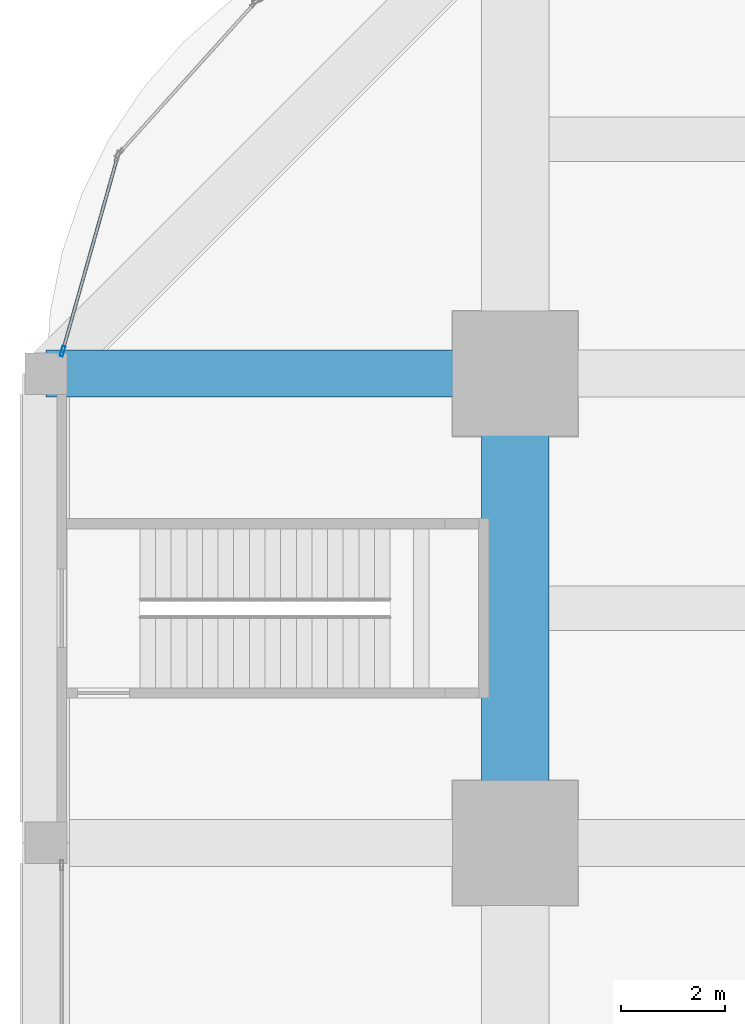
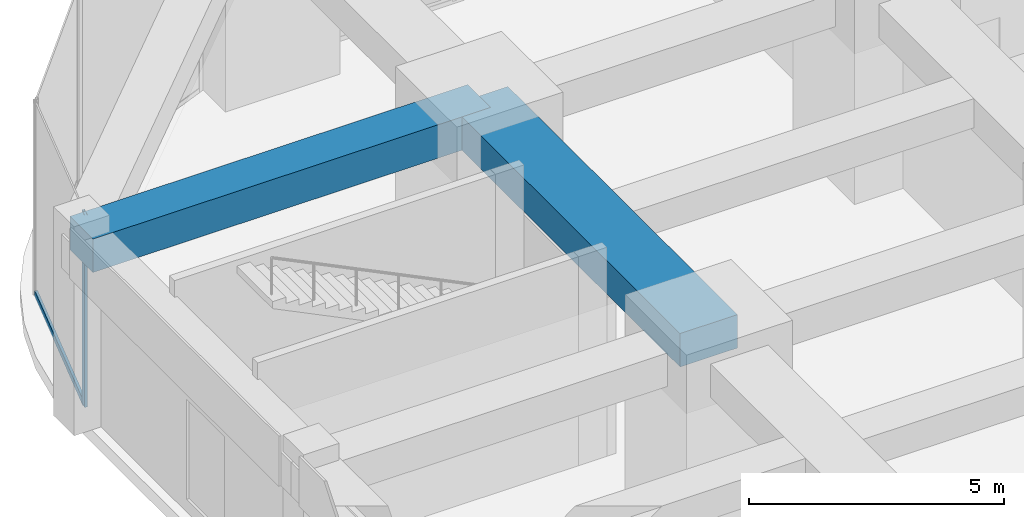
# One storey, part 20 of 46: 2 beams, 2 members, 1 element without a shape of its own.
"""IFC4 building model written with IfcOpenShell, lengths in metres."""

from ifc_helpers import new_model, si_unit, direction, frame, origin, origin_2d, place, context, subcontext, project, spatial, rectangle, hollow_rectangle, extrude, material, material_profile, profile_set, type_object, element, aggregate, save


model = new_model("IFC4")

# Units and contexts
model_context = context("Model", 3, precision=1e-05, world=origin(), true_north=direction((0.0, 1.0)))
body_context = subcontext(model_context, "Body", "Model", "MODEL_VIEW")
ifc_project = project(units=[si_unit("LENGTHUNIT", "METRE"), si_unit("AREAUNIT", "SQUARE_METRE"), si_unit("VOLUMEUNIT", "CUBIC_METRE"), si_unit("PLANEANGLEUNIT", "RADIAN"), si_unit("MASSUNIT", "GRAM", prefix="KILO")], contexts=[model_context])

# Site, building, storey
site_placement = place(None, origin())
site = spatial("IfcSite", under=ifc_project, at=site_placement, CompositionType="ELEMENT")
building_placement = place(site_placement, origin())
building = spatial("IfcBuilding", under=site, at=building_placement, Name="Zorevar Civic Tower", CompositionType="ELEMENT")
storey_placement = place(building_placement, frame((0.0, 0.0, 10.800048828125)))
storey = spatial("IfcBuildingStorey", under=building, at=storey_placement, Name="L02", CompositionType="ELEMENT", Elevation=10.800048828125)

# Beams
ifc_material_1 = material(Name="Concrete C50/60", Category="concrete")
ifc_material_profile_1 = material_profile(ifc_material_1, rectangle(XDim=1.300048828125, YDim=0.800048828125, at=origin_2d()), Name="RC 1300x800")
ifc_profile_set_1 = profile_set([ifc_material_profile_1], Name="Concrete C50/60")
beam_type_1 = type_object("IfcBeamType", Name="Beam RC 1300x800", PredefinedType="BEAM", material=ifc_profile_set_1)
beam_1_placement = place(storey_placement, frame((0.0, 36.0, 4.199951171875), z_axis=(0.0, 1.0, 0.0), x_axis=(-1.0, 0.0, 0.0)))
element("IfcBeam", 1, at=beam_1_placement, inside=storey, type_object=beam_type_1, Name="Girder L03", PredefinedType="BEAM", context=body_context, shape_type="SweptSolid", body=[
    extrude(rectangle(XDim=1.300048828125, YDim=0.800048828125, at=origin_2d()), origin(), (0.0, 0.0, 1.0), 9.0),
])
ifc_material_2 = material(Name="Concrete C50/60", Category="concrete")
ifc_material_profile_2 = material_profile(ifc_material_2, rectangle(XDim=0.89990234375, YDim=0.800048828125, at=origin_2d()), Name="RC 900x800")
ifc_profile_set_2 = profile_set([ifc_material_profile_2], Name="Concrete C50/60")
beam_type_2 = type_object("IfcBeamType", Name="Beam RC 900x800", PredefinedType="BEAM", material=ifc_profile_set_2)
beam_2_placement = place(storey_placement, frame((-9.0, 45.0, 4.199951171875), z_axis=(1.0, 0.0, 0.0), x_axis=(0.0, 1.0, 0.0)))
element("IfcBeam", 2, at=beam_2_placement, inside=storey, type_object=beam_type_2, Name="Girder L03", PredefinedType="BEAM", context=body_context, shape_type="SweptSolid", body=[
    extrude(rectangle(XDim=0.89990234375, YDim=0.800048828125, at=origin_2d()), origin(), (0.0, 0.0, 1.0), 9.0),
])

# Curtain wall, members
ifc_material_3 = material(Name="Dark grey solar-control glass in black aluminium frame", Category="aluminium")
curtain_wall_type = type_object("IfcCurtainWallType", Name="Curtain wall CW1 podium", PredefinedType="NOTDEFINED", material=ifc_material_3)
curtain_wall_placement = place(storey_placement, origin())
curtain_wall = element("IfcCurtainWall", 3, at=curtain_wall_placement, inside=storey, type_object=curtain_wall_type, Name="CW1 L02", PredefinedType="NOTDEFINED")
ifc_material_4 = material(Name="Aluminium, black anodised", Category="aluminium")
ifc_material_profile_3 = material_profile(ifc_material_4, hollow_rectangle(XDim=0.06005859375, YDim=0.199951171875, WallThickness=0.00390625, at=origin_2d()), Name="AL 200x60x4")
ifc_profile_set_3 = profile_set([ifc_material_profile_3], Name="Aluminium, black anodised")
member_type_1 = type_object("IfcMemberType", Name="CW1 mullion AL 200x60x4", PredefinedType="MULLION", material=ifc_profile_set_3)
member_1_placement = place(storey_placement, frame((-8.6826171875, 45.428955078125, 0.0), z_axis=(0.0, 0.0, 1.0), x_axis=(0.962390725943, -0.271669082929, 0.0)))
member_1 = element("IfcMember", 4, at=member_1_placement, type_object=member_type_1, Name="CW1 mullion 2", PredefinedType="MULLION", context=body_context, shape_type="SweptSolid", body=[
    extrude(hollow_rectangle(XDim=0.06005859375, YDim=0.199951171875, WallThickness=0.00390625, at=origin_2d()), origin(), (0.0, 0.0, 1.0), 4.599853515625),
])
ifc_material_5 = material(Name="Aluminium, black anodised", Category="aluminium")
ifc_material_profile_4 = material_profile(ifc_material_5, hollow_rectangle(XDim=0.06005859375, YDim=0.14990234375, WallThickness=0.00390625, at=origin_2d()), Name="AL 150x60x4")
ifc_profile_set_4 = profile_set([ifc_material_profile_4], Name="Aluminium, black anodised")
member_type_2 = type_object("IfcMemberType", Name="CW1 transom AL 150x60x4", PredefinedType="USERDEFINED", material=ifc_profile_set_4)
member_2_placement = place(storey_placement, frame((-7.63330078125, 49.145751953125, 0.030029296875), z_axis=(-0.271656874729, -0.962394172059, 0.0), x_axis=(0.962394172059, -0.271656874729, 0.0)))
member_2 = element("IfcMember", 5, at=member_2_placement, type_object=member_type_2, Name="CW1 sill transom", ObjectType="TRANSOM", PredefinedType="USERDEFINED", context=body_context, shape_type="SweptSolid", body=[
    extrude(hollow_rectangle(XDim=0.06005859375, YDim=0.14990234375, WallThickness=0.00390625, at=origin_2d()), origin(), (0.0, 0.0, 1.0), 3.83203125),
])
aggregate(curtain_wall, [member_1, member_2])

save(model, "model.ifc")
